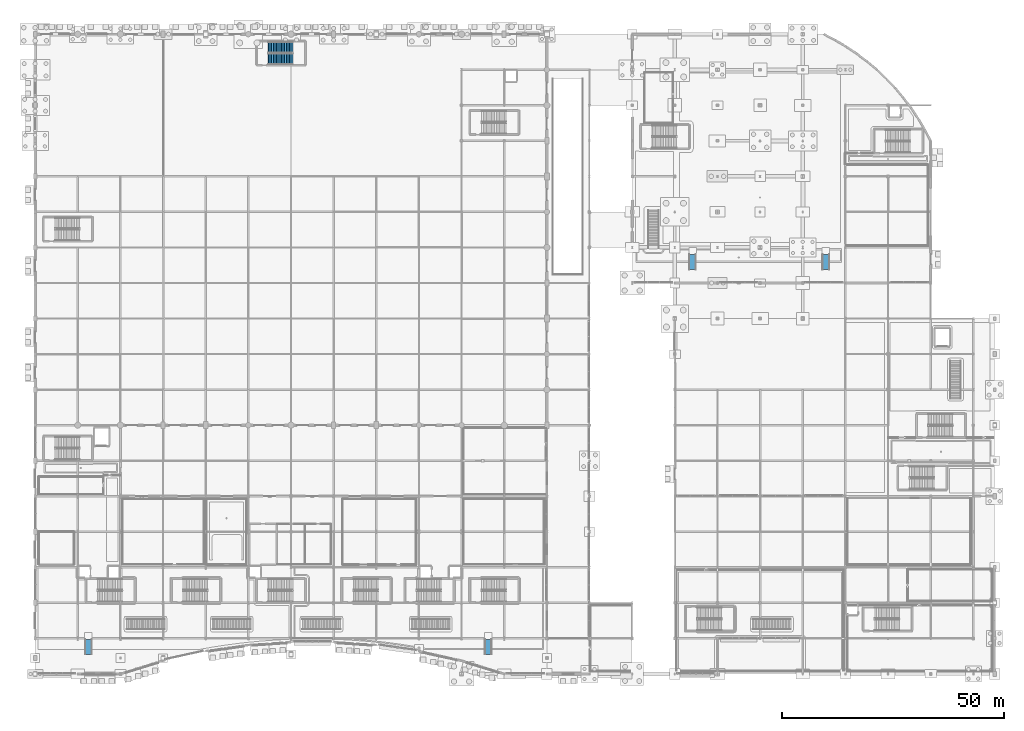
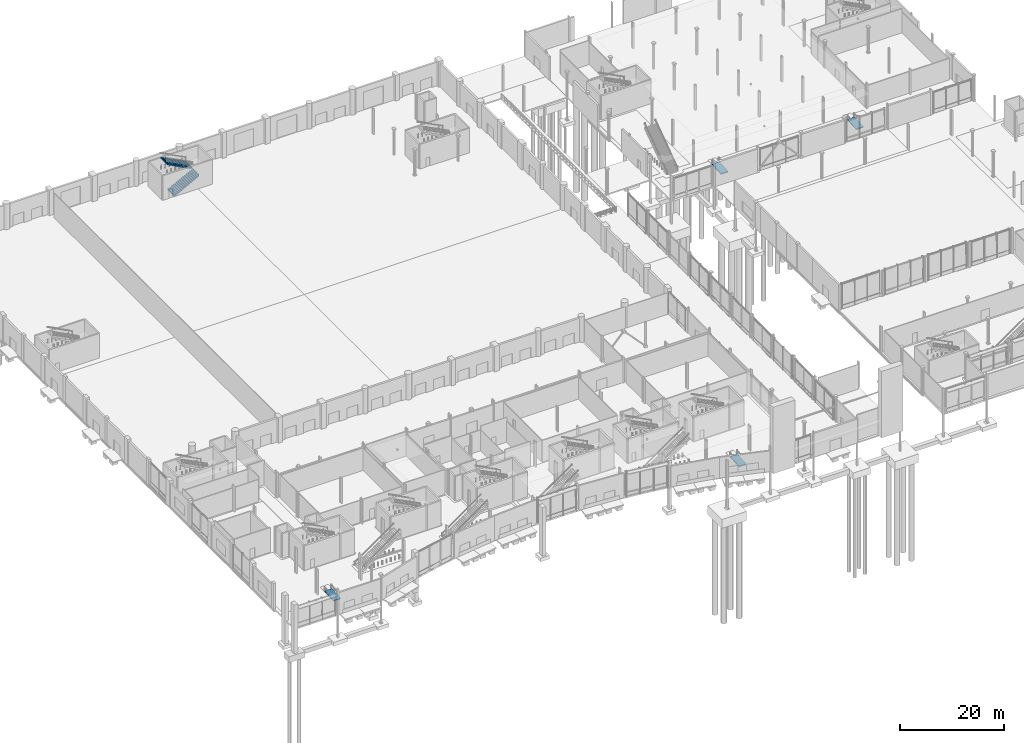
# One storey, part 91 of 124: 4 ramp flights, 2 stair flights, 5 elements without a shape of their own.
"""IFC4 building model written with IfcOpenShell, lengths in metres."""

from ifc_helpers import new_model, si_unit, direction, frame, origin, place, context, subcontext, project, spatial, polyline, outline, extrude, material, type_object, element, aggregate, save


model = new_model("IFC4")

# Units and contexts
model_context = context("Model", 3, precision=1e-05, world=origin(), true_north=direction((0.0, 1.0)))
body_context = subcontext(model_context, "Body", "Model", "MODEL_VIEW")
ifc_project = project(units=[si_unit("LENGTHUNIT", "METRE"), si_unit("AREAUNIT", "SQUARE_METRE"), si_unit("VOLUMEUNIT", "CUBIC_METRE"), si_unit("PLANEANGLEUNIT", "RADIAN"), si_unit("MASSUNIT", "GRAM", prefix="KILO")], contexts=[model_context])

# Site, building, storey
site_placement = place(None, origin())
site = spatial("IfcSite", under=ifc_project, at=site_placement, CompositionType="ELEMENT")
building_placement = place(site_placement, origin())
building = spatial("IfcBuilding", under=site, at=building_placement, Name="Danafjord Basin Convention Centre", CompositionType="ELEMENT")
storey_placement = place(building_placement, origin())
storey = spatial("IfcBuildingStorey", under=building, at=storey_placement, Name="L00", CompositionType="ELEMENT", Elevation=0.0)

# Stair, stair flights
ifc_material_1 = material(Name="Concrete C40/50", Category="concrete")
stair_type = type_object("IfcStairType", Name="STAIR-STR-C01", PredefinedType="TWO_STRAIGHT_RUN_STAIR", material=ifc_material_1)
stair_placement = place(storey_placement, origin())
stair = element("IfcStair", 1, at=stair_placement, inside=storey, type_object=stair_type, Name="L00 North Exhibition Perimeter Stair", PredefinedType="HALF_TURN_STAIR")
ifc_material_2 = material(Name="Precast concrete C40/50", Category="concrete")
stair_flight_type = type_object("IfcStairFlightType", Name="SFLT-STD", PredefinedType="STRAIGHT", material=ifc_material_2)
stair_flight_1_placement = place(storey_placement, frame((52.530029296875, 138.409912109375, 0.0), z_axis=(0.0, 0.0, 1.0), x_axis=(1.0, 0.0, 0.0)))
stair_flight_1 = element("IfcStairFlight", 2, at=stair_flight_1_placement, type_object=stair_flight_type, Name="ST-10 flight 1", NumberOfRisers=16, NumberOfTreads=15, PredefinedType="STRAIGHT", RiserHeight=0.1875, TreadLength=0.365, context=body_context, shape_type="SweptSolid", body=[
    extrude(outline(polyline([(-0.06494140625, -0.14990234375), (-0.06494140625, -0.00390625), (0.0, -0.00390625), (0.0, 0.1875), (0.364990234375, 0.1875), (0.364990234375, 0.375), (0.72998046875, 0.375), (0.72998046875, 0.5625), (1.094970703125, 0.5625), (1.094970703125, 0.75), (1.4599609375, 0.75), (1.4599609375, 0.9375), (1.824951171875, 0.9375), (1.824951171875, 1.125), (2.18994140625, 1.125), (2.18994140625, 1.3125), (2.554931640625, 1.3125), (2.554931640625, 1.5), (2.919921875, 1.5), (2.919921875, 1.6875), (3.284912109375, 1.6875), (3.284912109375, 1.875), (3.64990234375, 1.875), (3.64990234375, 2.0625), (4.014892578125, 2.0625), (4.014892578125, 2.25), (4.3798828125, 2.25), (4.3798828125, 2.4375), (4.7451171875, 2.4375), (4.7451171875, 2.625), (5.110107421875, 2.625), (5.110107421875, 2.8125), (5.47509765625, 2.8125), (5.47509765625, 3.0), (5.5400390625, 2.99609375), (5.5400390625, 2.64404296875), (0.328125, -0.14990234375), (-0.06494140625, -0.14990234375)])), frame((0.0, 1.25, 0.0), z_axis=(0.0, -1.0, 0.0), x_axis=(1.0, 0.0, 0.0)), (0.0, 0.0, 1.0), 2.5),
])
stair_flight_2_placement = place(storey_placement, frame((58.0048828125, 141.050048828125, 3.0), z_axis=(0.0, 0.0, 1.0), x_axis=(-1.0, 0.0, 0.0)))
stair_flight_2 = element("IfcStairFlight", 3, at=stair_flight_2_placement, type_object=stair_flight_type, Name="ST-10 flight 2", NumberOfRisers=16, NumberOfTreads=15, PredefinedType="STRAIGHT", RiserHeight=0.1875, TreadLength=0.365, context=body_context, shape_type="SweptSolid", body=[
    extrude(outline(polyline([(-0.06494140625, -0.14990234375), (-0.06494140625, -0.00390625), (0.0, -0.00390625), (0.0, 0.1875), (0.364990234375, 0.1875), (0.364990234375, 0.375), (0.72998046875, 0.375), (0.72998046875, 0.5625), (1.094970703125, 0.5625), (1.094970703125, 0.75), (1.4599609375, 0.75), (1.4599609375, 0.9375), (1.824951171875, 0.9375), (1.824951171875, 1.125), (2.18994140625, 1.125), (2.18994140625, 1.3125), (2.554931640625, 1.3125), (2.554931640625, 1.5), (2.919921875, 1.5), (2.919921875, 1.6875), (3.284912109375, 1.6875), (3.284912109375, 1.875), (3.64990234375, 1.875), (3.64990234375, 2.0625), (4.014892578125, 2.0625), (4.014892578125, 2.25), (4.3798828125, 2.25), (4.3798828125, 2.4375), (4.7451171875, 2.4375), (4.7451171875, 2.625), (5.110107421875, 2.625), (5.110107421875, 2.8125), (5.47509765625, 2.8125), (5.47509765625, 3.0), (5.5400390625, 2.99609375), (5.5400390625, 2.64404296875), (0.328125, -0.14990234375), (-0.06494140625, -0.14990234375)])), frame((0.0, 1.25, 0.0), z_axis=(0.0, -1.0, 0.0), x_axis=(1.0, 0.0, 0.0)), (0.0, 0.0, 1.0), 2.5),
])
aggregate(stair, [stair_flight_1, stair_flight_2])

# Ramp, ramp flight
ifc_material_3 = material(Name="Concrete C35/45", Category="concrete")
ramp_type = type_object("IfcRampType", Name="RMP-ACC", PredefinedType="STRAIGHT_RUN_RAMP", material=ifc_material_3)
ramp_1_placement = place(storey_placement, origin())
ramp_1 = element("IfcRamp", 4, at=ramp_1_placement, inside=storey, type_object=ramp_type, Name="L00 Accessible Threshold Ramp AR-01", PredefinedType="STRAIGHT_RUN_RAMP")
ramp_flight_type = type_object("IfcRampFlightType", Name="RFLT-ACC", PredefinedType="STRAIGHT", material=ifc_material_3)
ramp_flight_1_placement = place(storey_placement, frame((12.0, 4.39990234375, 0.0), z_axis=(0.0, 0.0, 1.0), x_axis=(0.0, 1.0, 0.0)))
ramp_flight_1 = element("IfcRampFlight", 5, at=ramp_flight_1_placement, type_object=ramp_flight_type, Name="Accessible Ramp AR-01 Flight", PredefinedType="STRAIGHT", context=body_context, shape_type="SweptSolid", body=[
    extrude(outline(polyline([(0.0, 0.0), (3.39990234375, 0.199951171875), (3.39990234375, 0.0), (0.0, -0.199951171875), (0.0, 0.0)])), frame((0.0, 0.800048828125, 0.0), z_axis=(0.0, -1.0, 0.0), x_axis=(1.0, 0.0, 0.0)), (0.0, 0.0, 1.0), 1.60009765625),
])
aggregate(ramp_1, [ramp_flight_1])

ramp_2_placement = place(storey_placement, origin())
ramp_2 = element("IfcRamp", 6, at=ramp_2_placement, inside=storey, type_object=ramp_type, Name="L00 Accessible Threshold Ramp AR-02", PredefinedType="STRAIGHT_RUN_RAMP")
ramp_flight_2_placement = place(storey_placement, frame((102.0, 4.39990234375, 0.0), z_axis=(0.0, 0.0, 1.0), x_axis=(0.0, 1.0, 0.0)))
ramp_flight_2 = element("IfcRampFlight", 7, at=ramp_flight_2_placement, type_object=ramp_flight_type, Name="Accessible Ramp AR-02 Flight", PredefinedType="STRAIGHT", context=body_context, shape_type="SweptSolid", body=[
    extrude(outline(polyline([(0.0, 0.0), (3.39990234375, 0.199951171875), (3.39990234375, 0.0), (0.0, -0.199951171875), (0.0, 0.0)])), frame((0.0, 0.800048828125, 0.0), z_axis=(0.0, -1.0, 0.0), x_axis=(1.0, 0.0, 0.0)), (0.0, 0.0, 1.0), 1.60009765625),
])
aggregate(ramp_2, [ramp_flight_2])

ramp_3_placement = place(storey_placement, origin())
ramp_3 = element("IfcRamp", 8, at=ramp_3_placement, inside=storey, type_object=ramp_type, Name="L00 Accessible Threshold Ramp AR-03", PredefinedType="STRAIGHT_RUN_RAMP")
ramp_flight_3_placement = place(storey_placement, frame((148.0, 91.0, 0.0), z_axis=(0.0, 0.0, 1.0), x_axis=(0.0, 1.0, 0.0)))
ramp_flight_3 = element("IfcRampFlight", 9, at=ramp_flight_3_placement, type_object=ramp_flight_type, Name="Accessible Ramp AR-03 Flight", PredefinedType="STRAIGHT", context=body_context, shape_type="SweptSolid", body=[
    extrude(outline(polyline([(0.0, 0.0), (3.39990234375, 0.199951171875), (3.39990234375, 0.0), (0.0, -0.199951171875), (0.0, 0.0)])), frame((0.0, 0.800048828125, 0.0), z_axis=(0.0, -1.0, 0.0), x_axis=(1.0, 0.0, 0.0)), (0.0, 0.0, 1.0), 1.60009765625),
])
aggregate(ramp_3, [ramp_flight_3])

ramp_4_placement = place(storey_placement, origin())
ramp_4 = element("IfcRamp", 10, at=ramp_4_placement, inside=storey, type_object=ramp_type, Name="L00 Accessible Threshold Ramp AR-04", PredefinedType="STRAIGHT_RUN_RAMP")
ramp_flight_4_placement = place(storey_placement, frame((178.0, 91.0, 0.0), z_axis=(0.0, 0.0, 1.0), x_axis=(0.0, 1.0, 0.0)))
ramp_flight_4 = element("IfcRampFlight", 11, at=ramp_flight_4_placement, type_object=ramp_flight_type, Name="Accessible Ramp AR-04 Flight", PredefinedType="STRAIGHT", context=body_context, shape_type="SweptSolid", body=[
    extrude(outline(polyline([(0.0, 0.0), (3.39990234375, 0.199951171875), (3.39990234375, 0.0), (0.0, -0.199951171875), (0.0, 0.0)])), frame((0.0, 0.800048828125, 0.0), z_axis=(0.0, -1.0, 0.0), x_axis=(1.0, 0.0, 0.0)), (0.0, 0.0, 1.0), 1.60009765625),
])
aggregate(ramp_4, [ramp_flight_4])

save(model, "model.ifc")
